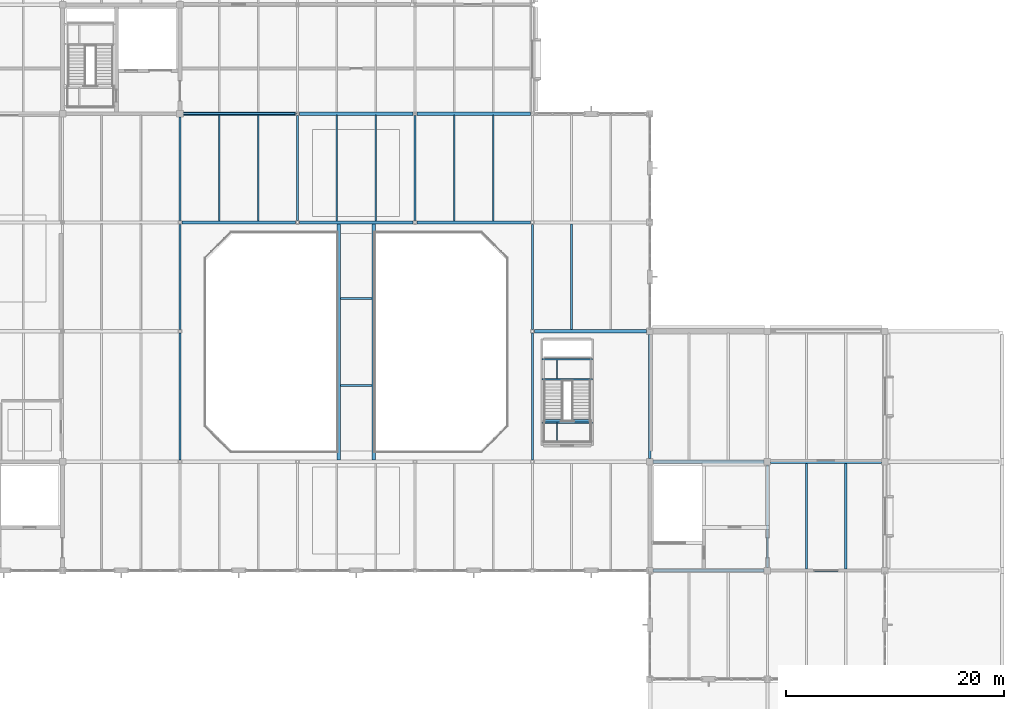
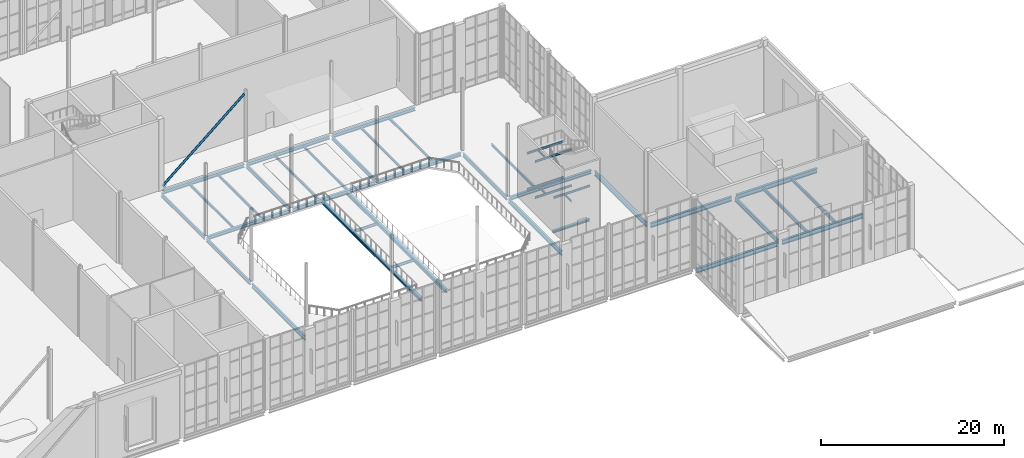
# One storey, part 39 of 100: 42 beams, 1 member.
"""IFC4 building model written with IfcOpenShell, lengths in metres."""

from ifc_helpers import new_model, si_unit, direction, frame, origin, origin_2d, place, context, subcontext, project, spatial, hollow_circle, i_section, extrude, material, material_profile, profile_set, type_object, element, save


model = new_model("IFC4")

# Units and contexts
model_context = context("Model", 3, precision=1e-05, world=origin(), true_north=direction((0.0, 1.0)))
body_context = subcontext(model_context, "Body", "Model", "MODEL_VIEW")
ifc_project = project(units=[si_unit("LENGTHUNIT", "METRE"), si_unit("AREAUNIT", "SQUARE_METRE"), si_unit("VOLUMEUNIT", "CUBIC_METRE"), si_unit("PLANEANGLEUNIT", "RADIAN"), si_unit("MASSUNIT", "GRAM", prefix="KILO")], contexts=[model_context])

# Site, building, storey
site_placement = place(None, origin())
site = spatial("IfcSite", under=ifc_project, at=site_placement, CompositionType="ELEMENT")
building_placement = place(site_placement, origin())
building = spatial("IfcBuilding", under=site, at=building_placement, Name="Tasgan Crest Museum", CompositionType="ELEMENT")
storey_placement = place(building_placement, frame((0.0, 0.0, 14.39990234375)))
storey = spatial("IfcBuildingStorey", under=building, at=storey_placement, Name="L03", CompositionType="ELEMENT", Elevation=14.39990234375)

# Beams
ifc_material_1 = material(Name="Steel S355J2", Category="steel")
ifc_material_profile_1 = material_profile(ifc_material_1, i_section(OverallWidth=0.300048828125, OverallDepth=0.43994140625, WebThickness=0.011474609375, FlangeThickness=0.02099609375, FilletRadius=0.027099609375, at=origin_2d()), Name="HEA 450")
ifc_profile_set_1 = profile_set([ifc_material_profile_1], Name="Steel S355J2")
beam_type_1 = type_object("IfcBeamType", Name="BM-G-HEA450", PredefinedType="BEAM", material=ifc_profile_set_1)
beam_1_placement = place(storey_placement, frame((97.373779296875, 62.0, -0.4599609375), z_axis=(1.0, 0.0, 0.0), x_axis=(0.0, 1.0, 0.0)))
element("IfcBeam", 1, at=beam_1_placement, inside=storey, type_object=beam_type_1, Name="Girder L03 G 97.2-108.0", PredefinedType="BEAM", context=body_context, shape_type="SweptSolid", body=[
    extrude(i_section(OverallWidth=0.300048828125, OverallDepth=0.43994140625, WebThickness=0.011474609375, FlangeThickness=0.02099609375, FilletRadius=0.027099609375, at=origin_2d()), origin(), (0.0, 0.0, 1.0), 10.330322265625),
])
beam_2_placement = place(storey_placement, frame((64.973876953125, 72.0, -0.4599609375), z_axis=(1.0, 0.0, 0.0), x_axis=(0.0, 1.0, 0.0)))
element("IfcBeam", 2, at=beam_2_placement, inside=storey, type_object=beam_type_1, Name="Girder L03 H 64.8-75.6", PredefinedType="BEAM", context=body_context, shape_type="SweptSolid", body=[
    extrude(i_section(OverallWidth=0.300048828125, OverallDepth=0.43994140625, WebThickness=0.011474609375, FlangeThickness=0.02099609375, FilletRadius=0.027099609375, at=origin_2d()), origin(), (0.0, 0.0, 1.0), 10.452392578125),
])
beam_3_placement = place(storey_placement, frame((75.773681640625, 72.0, -0.4599609375), z_axis=(1.0, 0.0, 0.0), x_axis=(0.0, 1.0, 0.0)))
element("IfcBeam", 3, at=beam_3_placement, inside=storey, type_object=beam_type_1, Name="Girder L03 H 75.6-86.4", PredefinedType="BEAM", context=body_context, shape_type="SweptSolid", body=[
    extrude(i_section(OverallWidth=0.300048828125, OverallDepth=0.43994140625, WebThickness=0.011474609375, FlangeThickness=0.02099609375, FilletRadius=0.027099609375, at=origin_2d()), origin(), (0.0, 0.0, 1.0), 10.45263671875),
])
beam_4_placement = place(storey_placement, frame((86.57373046875, 72.0, -0.4599609375), z_axis=(1.0, 0.0, 0.0), x_axis=(0.0, 1.0, 0.0)))
element("IfcBeam", 4, at=beam_4_placement, inside=storey, type_object=beam_type_1, Name="Girder L03 H 86.4-97.2", PredefinedType="BEAM", context=body_context, shape_type="SweptSolid", body=[
    extrude(i_section(OverallWidth=0.300048828125, OverallDepth=0.43994140625, WebThickness=0.011474609375, FlangeThickness=0.02099609375, FilletRadius=0.027099609375, at=origin_2d()), origin(), (0.0, 0.0, 1.0), 10.452392578125),
])
ifc_material_2 = material(Name="Steel S355J2", Category="steel")
ifc_material_profile_2 = material_profile(ifc_material_2, i_section(OverallWidth=0.300048828125, OverallDepth=0.489990234375, WebThickness=0.011962890625, FlangeThickness=0.02294921875, FilletRadius=0.027099609375, at=origin_2d()), Name="HEA 500")
ifc_profile_set_2 = profile_set([ifc_material_profile_2], Name="Steel S355J2")
beam_type_2 = type_object("IfcBeamType", Name="BM-G-HEA500", PredefinedType="BEAM", material=ifc_profile_set_2)
for number, where, z_axis, x_axis, name in (
    (5, (79.39990234375, 50.14990234375, -0.48486328125), (0.0, 1.0, 0.0), (-1.0, 0.0, 0.0), "Atrium bridge girder L03"),
    (6, (82.60009765625, 50.14990234375, -0.48486328125), (0.0, 1.0, 0.0), (-1.0, 0.0, 0.0), "Atrium bridge girder L03"),
):
    element("IfcBeam", number, at=place(storey_placement, frame(where, z_axis=z_axis, x_axis=x_axis)), inside=storey, type_object=beam_type_2, Name=name, PredefinedType="BEAM", context=body_context, shape_type="SweptSolid", body=[
        extrude(i_section(OverallWidth=0.300048828125, OverallDepth=0.489990234375, WebThickness=0.011962890625, FlangeThickness=0.02294921875, FilletRadius=0.027099609375, at=origin_2d()), origin(), (0.0, 0.0, 1.0), 21.7001953125),
    ])
ifc_material_3 = material(Name="Steel S355J2", Category="steel")
ifc_material_profile_3 = material_profile(ifc_material_3, i_section(OverallWidth=0.300048828125, OverallDepth=0.590087890625, WebThickness=0.012939453125, FlangeThickness=0.02490234375, FilletRadius=0.027099609375, at=origin_2d()), Name="HEA 600")
ifc_profile_set_3 = profile_set([ifc_material_profile_3], Name="Steel S355J2")
beam_type_3 = type_object("IfcBeamType", Name="BM-G-HEA600", PredefinedType="BEAM", material=ifc_profile_set_3)
for number, where, z_axis, x_axis, name in (
    (7, (108.2958984375, 40.0, -0.574951171875), (1.0, 0.0, 0.0), (0.0, 1.0, 0.0), "Girder L03 E 108.0-118.8"),
    (8, (119.095947265625, 40.0, -0.574951171875), (1.0, 0.0, 0.0), (0.0, 1.0, 0.0), "Girder L03 E 118.8-129.6"),
    (9, (108.2958984375, 50.0, -0.574951171875), (1.0, 0.0, 0.0), (0.0, 1.0, 0.0), "Girder L03 F 108.0-118.8"),
    (10, (119.095947265625, 50.0, -0.574951171875), (1.0, 0.0, 0.0), (0.0, 1.0, 0.0), "Girder L03 F 118.8-129.6"),
):
    element("IfcBeam", number, at=place(storey_placement, frame(where, z_axis=z_axis, x_axis=x_axis)), inside=storey, type_object=beam_type_3, Name=name, PredefinedType="BEAM", context=body_context, shape_type="SweptSolid", body=[
        extrude(i_section(OverallWidth=0.300048828125, OverallDepth=0.590087890625, WebThickness=0.012939453125, FlangeThickness=0.02490234375, FilletRadius=0.027099609375, at=origin_2d()), origin(), (0.0, 0.0, 1.0), 10.2080078125),
    ])
ifc_material_4 = material(Name="Steel S355J2", Category="steel")
ifc_material_profile_4 = material_profile(ifc_material_4, i_section(OverallWidth=0.300048828125, OverallDepth=0.300048828125, WebThickness=0.010986328125, FlangeThickness=0.01904296875, FilletRadius=0.027099609375, at=origin_2d()), Name="HEB 300")
ifc_profile_set_4 = profile_set([ifc_material_profile_4], Name="Steel S355J2")
beam_type_4 = type_object("IfcBeamType", Name="BM-G-HEB300", PredefinedType="BEAM", material=ifc_profile_set_4)
beam_5_placement = place(storey_placement, frame((98.080078125, 53.75, -0.14990234375), z_axis=(1.0, 0.0, 0.0), x_axis=(0.0, 1.0, 0.0)))
element("IfcBeam", 11, at=beam_5_placement, inside=storey, type_object=beam_type_4, Name="Stair threshold trimmer beam ST-AT-L03", PredefinedType="BEAM", context=body_context, shape_type="SweptSolid", body=[
    extrude(i_section(OverallWidth=0.300048828125, OverallDepth=0.300048828125, WebThickness=0.010986328125, FlangeThickness=0.01904296875, FilletRadius=0.027099609375, at=origin_2d()), origin(), (0.0, 0.0, 1.0), 4.639892578125),
])
ifc_material_5 = material(Name="Steel S355J2", Category="steel")
ifc_material_profile_5 = material_profile(ifc_material_5, i_section(OverallWidth=0.300048828125, OverallDepth=0.449951171875, WebThickness=0.013916015625, FlangeThickness=0.02587890625, FilletRadius=0.027099609375, at=origin_2d()), Name="HEB 450")
ifc_profile_set_5 = profile_set([ifc_material_profile_5], Name="Steel S355J2")
beam_type_5 = type_object("IfcBeamType", Name="BM-G-HEB450", PredefinedType="BEAM", material=ifc_profile_set_5)
beam_6_placement = place(storey_placement, frame((65.095947265625, 82.0, -0.46484375), z_axis=(1.0, 0.0, 0.0), x_axis=(0.0, 1.0, 0.0)))
element("IfcBeam", 12, at=beam_6_placement, inside=storey, type_object=beam_type_5, Name="Girder L03 J 64.8-75.6", PredefinedType="BEAM", context=body_context, shape_type="SweptSolid", body=[
    extrude(i_section(OverallWidth=0.300048828125, OverallDepth=0.449951171875, WebThickness=0.013916015625, FlangeThickness=0.02587890625, FilletRadius=0.027099609375, at=origin_2d()), origin(), (0.0, 0.0, 1.0), 10.330322265625),
])
beam_7_placement = place(storey_placement, frame((75.773681640625, 82.0, -0.46484375), z_axis=(1.0, 0.0, 0.0), x_axis=(0.0, 1.0, 0.0)))
element("IfcBeam", 13, at=beam_7_placement, inside=storey, type_object=beam_type_5, Name="Girder L03 J 75.6-86.4", PredefinedType="BEAM", context=body_context, shape_type="SweptSolid", body=[
    extrude(i_section(OverallWidth=0.300048828125, OverallDepth=0.449951171875, WebThickness=0.013916015625, FlangeThickness=0.02587890625, FilletRadius=0.027099609375, at=origin_2d()), origin(), (0.0, 0.0, 1.0), 10.45263671875),
])
beam_8_placement = place(storey_placement, frame((86.57373046875, 82.0, -0.46484375), z_axis=(1.0, 0.0, 0.0), x_axis=(0.0, 1.0, 0.0)))
element("IfcBeam", 14, at=beam_8_placement, inside=storey, type_object=beam_type_5, Name="Girder L03 J 86.4-97.2", PredefinedType="BEAM", context=body_context, shape_type="SweptSolid", body=[
    extrude(i_section(OverallWidth=0.300048828125, OverallDepth=0.449951171875, WebThickness=0.013916015625, FlangeThickness=0.02587890625, FilletRadius=0.027099609375, at=origin_2d()), origin(), (0.0, 0.0, 1.0), 10.452392578125),
])
ifc_material_6 = material(Name="Steel S355J2", Category="steel")
ifc_material_profile_6 = material_profile(ifc_material_6, i_section(OverallWidth=0.199951171875, OverallDepth=0.5, WebThickness=0.01025390625, FlangeThickness=0.01611328125, FilletRadius=0.02099609375, at=origin_2d()), Name="IPE 500")
ifc_profile_set_6 = profile_set([ifc_material_profile_6], Name="Steel S355J2")
beam_type_6 = type_object("IfcBeamType", Name="BM-G-IPE500", PredefinedType="BEAM", material=ifc_profile_set_6)
beam_9_placement = place(storey_placement, frame((64.800048828125, 62.1728515625, -0.489990234375), z_axis=(0.0, 1.0, 0.0), x_axis=(-1.0, 0.0, 0.0)))
element("IfcBeam", 15, at=beam_9_placement, inside=storey, type_object=beam_type_6, Name="Beam L03 7 62.0-72.0", PredefinedType="BEAM", context=body_context, shape_type="SweptSolid", body=[
    extrude(i_section(OverallWidth=0.199951171875, OverallDepth=0.5, WebThickness=0.01025390625, FlangeThickness=0.01611328125, FilletRadius=0.02099609375, at=origin_2d()), origin(), (0.0, 0.0, 1.0), 9.654296875),
])
beam_10_placement = place(storey_placement, frame((64.800048828125, 72.1728515625, -0.489990234375), z_axis=(0.0, 1.0, 0.0), x_axis=(-1.0, 0.0, 0.0)))
element("IfcBeam", 16, at=beam_10_placement, inside=storey, type_object=beam_type_6, Name="Beam L03 7 72.0-82.0", PredefinedType="BEAM", context=body_context, shape_type="SweptSolid", body=[
    extrude(i_section(OverallWidth=0.199951171875, OverallDepth=0.5, WebThickness=0.01025390625, FlangeThickness=0.01611328125, FilletRadius=0.02099609375, at=origin_2d()), origin(), (0.0, 0.0, 1.0), 9.5322265625),
])
for number, where, z_axis, x_axis, name in (
    (17, (75.60009765625, 72.1728515625, -0.489990234375), (0.0, 1.0, 0.0), (-1.0, 0.0, 0.0), "Beam L03 8 72.0-82.0"),
    (18, (86.39990234375, 72.1728515625, -0.489990234375), (0.0, 1.0, 0.0), (-1.0, 0.0, 0.0), "Beam L03 9 72.0-82.0"),
    (19, (97.199951171875, 62.1728515625, -0.489990234375), (0.0, 1.0, 0.0), (-1.0, 0.0, 0.0), "Beam L03 10 62.0-72.0"),
):
    element("IfcBeam", number, at=place(storey_placement, frame(where, z_axis=z_axis, x_axis=x_axis)), inside=storey, type_object=beam_type_6, Name=name, PredefinedType="BEAM", context=body_context, shape_type="SweptSolid", body=[
        extrude(i_section(OverallWidth=0.199951171875, OverallDepth=0.5, WebThickness=0.01025390625, FlangeThickness=0.01611328125, FilletRadius=0.02099609375, at=origin_2d()), origin(), (0.0, 0.0, 1.0), 9.654296875),
    ])
ifc_material_7 = material(Name="Steel S355J2", Category="steel")
ifc_material_profile_7 = material_profile(ifc_material_7, i_section(OverallWidth=0.2099609375, OverallDepth=0.550048828125, WebThickness=0.010986328125, FlangeThickness=0.01708984375, FilletRadius=0.02392578125, at=origin_2d()), Name="IPE 550")
ifc_profile_set_7 = profile_set([ifc_material_profile_7], Name="Steel S355J2")
beam_type_7 = type_object("IfcBeamType", Name="BM-G-IPE550", PredefinedType="BEAM", material=ifc_profile_set_7)
beam_11_placement = place(storey_placement, frame((118.800048828125, 40.294921875, -0.554931640625), z_axis=(0.0, 1.0, 0.0), x_axis=(-1.0, 0.0, 0.0)))
element("IfcBeam", 20, at=beam_11_placement, inside=storey, type_object=beam_type_7, Name="Beam L03 12 40.0-50.0", PredefinedType="BEAM", context=body_context, shape_type="SweptSolid", body=[
    extrude(i_section(OverallWidth=0.2099609375, OverallDepth=0.550048828125, WebThickness=0.010986328125, FlangeThickness=0.01708984375, FilletRadius=0.02392578125, at=origin_2d()), origin(), (0.0, 0.0, 1.0), 9.41015625),
])
ifc_material_8 = material(Name="Steel S355J2", Category="steel")
ifc_material_profile_8 = material_profile(ifc_material_8, i_section(OverallWidth=0.219970703125, OverallDepth=0.60009765625, WebThickness=0.011962890625, FlangeThickness=0.01904296875, FilletRadius=0.02392578125, at=origin_2d()), Name="IPE 600")
ifc_profile_set_8 = profile_set([ifc_material_profile_8], Name="Steel S355J2")
beam_type_8 = type_object("IfcBeamType", Name="BM-G-IPE600", PredefinedType="BEAM", material=ifc_profile_set_8)
for number, where, z_axis, x_axis, name in (
    (21, (64.800048828125, 50.1728515625, -0.539794921875), (0.0, 1.0, 0.0), (-1.0, 0.0, 0.0), "Beam L03 7 50.0-62.0"),
    (22, (97.199951171875, 50.1728515625, -0.539794921875), (0.0, 1.0, 0.0), (-1.0, 0.0, 0.0), "Beam L03 10 50.0-62.0"),
):
    element("IfcBeam", number, at=place(storey_placement, frame(where, z_axis=z_axis, x_axis=x_axis)), inside=storey, type_object=beam_type_8, Name=name, PredefinedType="BEAM", context=body_context, shape_type="SweptSolid", body=[
        extrude(i_section(OverallWidth=0.219970703125, OverallDepth=0.60009765625, WebThickness=0.011962890625, FlangeThickness=0.01904296875, FilletRadius=0.02392578125, at=origin_2d()), origin(), (0.0, 0.0, 1.0), 11.654296875),
    ])
beam_12_placement = place(storey_placement, frame((108.0, 50.294921875, -0.579833984375), z_axis=(0.0, 1.0, 0.0), x_axis=(-1.0, 0.0, 0.0)))
element("IfcBeam", 23, at=beam_12_placement, inside=storey, type_object=beam_type_8, Name="Beam L03 11 50.0-62.0", PredefinedType="BEAM", context=body_context, shape_type="SweptSolid", body=[
    extrude(i_section(OverallWidth=0.219970703125, OverallDepth=0.60009765625, WebThickness=0.011962890625, FlangeThickness=0.01904296875, FilletRadius=0.02392578125, at=origin_2d()), origin(), (0.0, 0.0, 1.0), 11.41015625),
])
ifc_material_9 = material(Name="Steel S355J2", Category="steel")
ifc_material_profile_9 = material_profile(ifc_material_9, i_section(OverallWidth=0.159912109375, OverallDepth=0.330078125, WebThickness=0.007568359375, FlangeThickness=0.011474609375, FilletRadius=0.01806640625, at=origin_2d()), Name="IPE 330")
ifc_profile_set_9 = profile_set([ifc_material_profile_9], Name="Steel S355J2")
beam_type_9 = type_object("IfcBeamType", Name="BM-J-IPE330", PredefinedType="JOIST", material=ifc_profile_set_9)
for number, where, z_axis, x_axis, name in (
    (24, (68.39990234375, 72.14501953125, -0.40478515625), (0.0, 1.0, 0.0), (-1.0, 0.0, 0.0), "Secondary joist L03 X=68.4 Y=72.0-82.0"),
    (25, (72.0, 72.14501953125, -0.40478515625), (0.0, 1.0, 0.0), (-1.0, 0.0, 0.0), "Secondary joist L03 X=72.0 Y=72.0-82.0"),
    (26, (79.199951171875, 72.14501953125, -0.40478515625), (0.0, 1.0, 0.0), (-1.0, 0.0, 0.0), "Secondary joist L03 X=79.2 Y=72.0-82.0"),
    (27, (82.800048828125, 72.14501953125, -0.40478515625), (0.0, 1.0, 0.0), (-1.0, 0.0, 0.0), "Secondary joist L03 X=82.8 Y=72.0-82.0"),
    (28, (90.0, 72.14501953125, -0.40478515625), (0.0, 1.0, 0.0), (-1.0, 0.0, 0.0), "Secondary joist L03 X=90.0 Y=72.0-82.0"),
    (29, (93.60009765625, 72.14501953125, -0.40478515625), (0.0, 1.0, 0.0), (-1.0, 0.0, 0.0), "Secondary joist L03 X=93.6 Y=72.0-82.0"),
    (30, (100.800048828125, 62.14501953125, -0.40478515625), (0.0, 1.0, 0.0), (-1.0, 0.0, 0.0), "Secondary joist L03 X=100.8 Y=62.0-72.0"),
):
    element("IfcBeam", number, at=place(storey_placement, frame(where, z_axis=z_axis, x_axis=x_axis)), inside=storey, type_object=beam_type_9, Name=name, PredefinedType="JOIST", context=body_context, shape_type="SweptSolid", body=[
        extrude(i_section(OverallWidth=0.159912109375, OverallDepth=0.330078125, WebThickness=0.007568359375, FlangeThickness=0.011474609375, FilletRadius=0.01806640625, at=origin_2d()), origin(), (0.0, 0.0, 1.0), 9.7099609375),
    ])
ifc_material_10 = material(Name="Steel S355J2", Category="steel")
ifc_material_profile_10 = material_profile(ifc_material_10, i_section(OverallWidth=0.169921875, OverallDepth=0.360107421875, WebThickness=0.008056640625, FlangeThickness=0.0126953125, FilletRadius=0.01806640625, at=origin_2d()), Name="IPE 360")
ifc_profile_set_10 = profile_set([ifc_material_profile_10], Name="Steel S355J2")
beam_type_10 = type_object("IfcBeamType", Name="BM-J-IPE360", PredefinedType="JOIST", material=ifc_profile_set_10)
for number, where, z_axis, x_axis, name in (
    (31, (79.550048828125, 57.0, -0.419921875), (1.0, 0.0, 0.0), (0.0, 1.0, 0.0), "Atrium bridge crossbeam L03 Y=57"),
    (32, (79.550048828125, 65.0, -0.419921875), (1.0, 0.0, 0.0), (0.0, 1.0, 0.0), "Atrium bridge crossbeam L03 Y=65"),
):
    element("IfcBeam", number, at=place(storey_placement, frame(where, z_axis=z_axis, x_axis=x_axis)), inside=storey, type_object=beam_type_10, Name=name, PredefinedType="JOIST", context=body_context, shape_type="SweptSolid", body=[
        extrude(i_section(OverallWidth=0.169921875, OverallDepth=0.360107421875, WebThickness=0.008056640625, FlangeThickness=0.0126953125, FilletRadius=0.01806640625, at=origin_2d()), origin(), (0.0, 0.0, 1.0), 2.89990234375),
    ])
ifc_material_11 = material(Name="Steel S355J2", Category="steel")
ifc_material_profile_11 = material_profile(ifc_material_11, i_section(OverallWidth=0.18994140625, OverallDepth=0.449951171875, WebThickness=0.009521484375, FlangeThickness=0.0146484375, FilletRadius=0.02099609375, at=origin_2d()), Name="IPE 450")
ifc_profile_set_11 = profile_set([ifc_material_profile_11], Name="Steel S355J2")
beam_type_11 = type_object("IfcBeamType", Name="BM-J-IPE450", PredefinedType="JOIST", material=ifc_profile_set_11)
for number, where, z_axis, x_axis, name in (
    (33, (122.39990234375, 40.14501953125, -0.5048828125), (0.0, 1.0, 0.0), (-1.0, 0.0, 0.0), "Secondary joist L03 X=122.4 Y=40.0-50.0"),
    (34, (126.0, 40.14501953125, -0.5048828125), (0.0, 1.0, 0.0), (-1.0, 0.0, 0.0), "Secondary joist L03 X=126.0 Y=40.0-50.0"),
):
    element("IfcBeam", number, at=place(storey_placement, frame(where, z_axis=z_axis, x_axis=x_axis)), inside=storey, type_object=beam_type_11, Name=name, PredefinedType="JOIST", context=body_context, shape_type="SweptSolid", body=[
        extrude(i_section(OverallWidth=0.18994140625, OverallDepth=0.449951171875, WebThickness=0.009521484375, FlangeThickness=0.0146484375, FilletRadius=0.02099609375, at=origin_2d()), origin(), (0.0, 0.0, 1.0), 9.7099609375),
    ])
ifc_material_12 = material(Name="Steel S355J2", Category="steel")
ifc_material_profile_12 = material_profile(ifc_material_12, i_section(OverallWidth=0.1201171875, OverallDepth=0.239990234375, WebThickness=0.006103515625, FlangeThickness=0.009765625, FilletRadius=0.014892578125, at=origin_2d()), Name="IPE 240")
ifc_profile_set_12 = profile_set([ifc_material_profile_12], Name="Steel S355J2")
beam_type_12 = type_object("IfcBeamType", Name="BM-LAND-IPE240", PredefinedType="BEAM", material=ifc_profile_set_12)
beam_13_placement = place(storey_placement, frame((99.449951171875, 57.6650390625, 2.080078125), z_axis=(0.0, 1.0, 0.0), x_axis=(-1.0, 0.0, 0.0)))
element("IfcBeam", 35, at=beam_13_placement, inside=storey, type_object=beam_type_12, Name="Stair half-landing crossbeam ST-AT-L03 T1", PredefinedType="BEAM", context=body_context, shape_type="SweptSolid", body=[
    extrude(i_section(OverallWidth=0.1201171875, OverallDepth=0.239990234375, WebThickness=0.006103515625, FlangeThickness=0.009765625, FilletRadius=0.014892578125, at=origin_2d()), origin(), (0.0, 0.0, 1.0), 1.679931640625),
])
beam_14_placement = place(storey_placement, frame((99.449951171875, 51.9599609375, 4.47998046875), z_axis=(0.0, 1.0, 0.0), x_axis=(-1.0, 0.0, 0.0)))
element("IfcBeam", 36, at=beam_14_placement, inside=storey, type_object=beam_type_12, Name="Stair intermediate landing crossbeam ST-AT-L03", PredefinedType="BEAM", context=body_context, shape_type="SweptSolid", body=[
    extrude(i_section(OverallWidth=0.1201171875, OverallDepth=0.239990234375, WebThickness=0.006103515625, FlangeThickness=0.009765625, FilletRadius=0.014892578125, at=origin_2d()), origin(), (0.0, 0.0, 1.0), 1.580078125),
])
beam_15_placement = place(storey_placement, frame((99.449951171875, 57.6650390625, 6.880126953125), z_axis=(0.0, 1.0, 0.0), x_axis=(-1.0, 0.0, 0.0)))
element("IfcBeam", 37, at=beam_15_placement, inside=storey, type_object=beam_type_12, Name="Stair half-landing crossbeam ST-AT-L03 T2", PredefinedType="BEAM", context=body_context, shape_type="SweptSolid", body=[
    extrude(i_section(OverallWidth=0.1201171875, OverallDepth=0.239990234375, WebThickness=0.006103515625, FlangeThickness=0.009765625, FilletRadius=0.014892578125, at=origin_2d()), origin(), (0.0, 0.0, 1.0), 1.679931640625),
])
ifc_material_13 = material(Name="Steel S355J2", Category="steel")
ifc_material_profile_13 = material_profile(ifc_material_13, i_section(OverallWidth=0.135009765625, OverallDepth=0.27001953125, WebThickness=0.006591796875, FlangeThickness=0.01025390625, FilletRadius=0.014892578125, at=origin_2d()), Name="IPE 270")
ifc_profile_set_13 = profile_set([ifc_material_profile_13], Name="Steel S355J2")
beam_type_13 = type_object("IfcBeamType", Name="BM-LAND-IPE270", PredefinedType="BEAM", material=ifc_profile_set_13)
for number, where, z_axis, x_axis, name in (
    (38, (98.080078125, 57.60498046875, 2.065185546875), (1.0, 0.0, 0.0), (0.0, 1.0, 0.0), "Stair half-landing beam ST-AT-L03 T1F"),
    (39, (98.080078125, 59.405029296875, 2.065185546875), (1.0, 0.0, 0.0), (0.0, 1.0, 0.0), "Stair half-landing beam ST-AT-L03 T1B"),
    (40, (98.080078125, 53.60009765625, 4.465087890625), (1.0, 0.0, 0.0), (0.0, 1.0, 0.0), "Stair intermediate landing beam ST-AT-L03 B"),
    (41, (98.080078125, 57.60498046875, 6.864990234375), (1.0, 0.0, 0.0), (0.0, 1.0, 0.0), "Stair half-landing beam ST-AT-L03 T2F"),
    (42, (98.080078125, 59.405029296875, 6.864990234375), (1.0, 0.0, 0.0), (0.0, 1.0, 0.0), "Stair half-landing beam ST-AT-L03 T2B"),
):
    element("IfcBeam", number, at=place(storey_placement, frame(where, z_axis=z_axis, x_axis=x_axis)), inside=storey, type_object=beam_type_13, Name=name, PredefinedType="BEAM", context=body_context, shape_type="SweptSolid", body=[
        extrude(i_section(OverallWidth=0.135009765625, OverallDepth=0.27001953125, WebThickness=0.006591796875, FlangeThickness=0.01025390625, FilletRadius=0.014892578125, at=origin_2d()), origin(), (0.0, 0.0, 1.0), 4.639892578125),
    ])

# Member
ifc_material_14 = material(Name="Steel S355K2", Category="steel")
ifc_material_profile_14 = material_profile(ifc_material_14, hollow_circle(Radius=0.136474609375, WallThickness=0.012451171875, at=origin_2d()), Name="CHS 273x12.5")
ifc_profile_set_14 = profile_set([ifc_material_profile_14], Name="Steel S355K2")
member_type = type_object("IfcMemberType", Name="MEM-BRACE-CHS273", PredefinedType="BRACE", material=ifc_profile_set_14)
member_placement = place(storey_placement, frame((65.10009765625, 82.0, 0.35009765625), z_axis=(0.765483563925, 0.0, 0.643455447844), x_axis=(0.0, 1.0, 0.0)))
element("IfcMember", 43, at=member_placement, inside=storey, type_object=member_type, Name="Diagonal brace L03 J 64.8-75.6", PredefinedType="BRACE", context=body_context, shape_type="SweptSolid", body=[
    extrude(hollow_circle(Radius=0.136474609375, WallThickness=0.012451171875, at=origin_2d()), origin(), (0.0, 0.0, 1.0), 13.520751953125),
])

save(model, "model.ifc")
